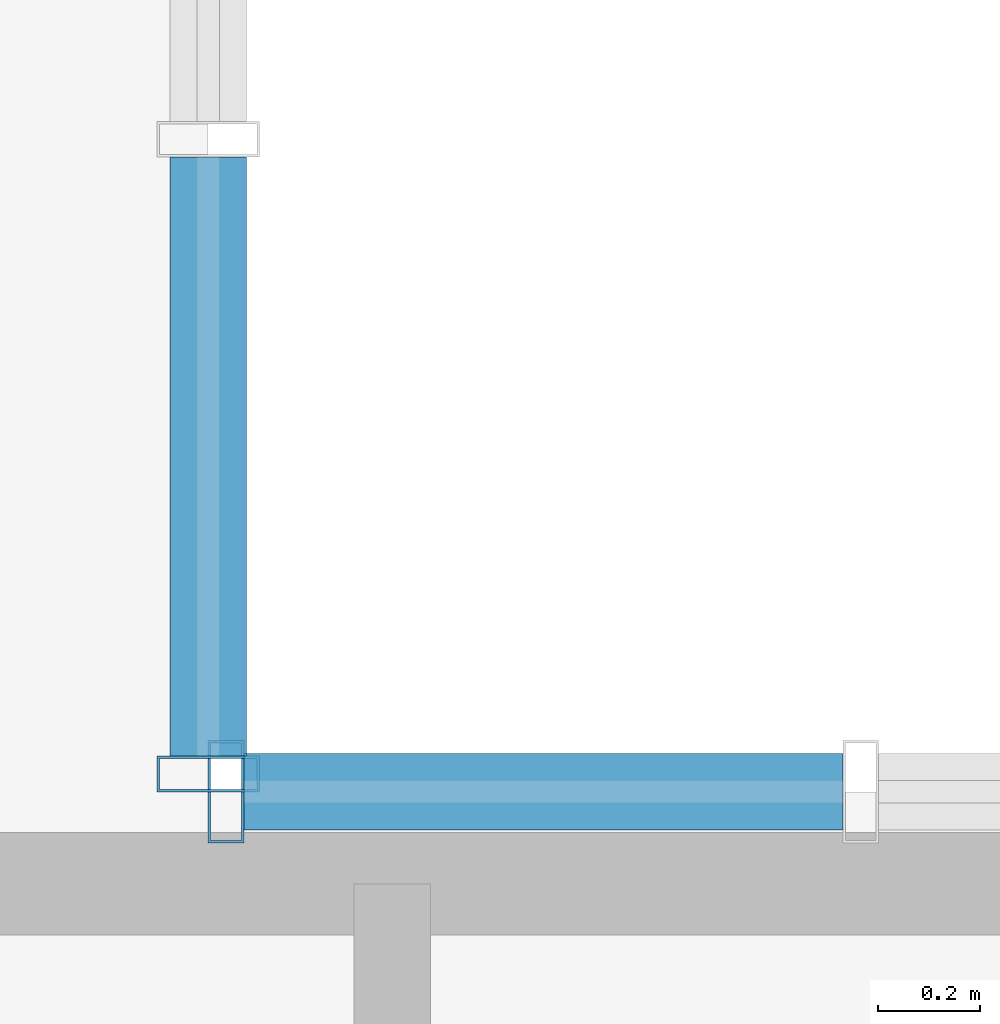
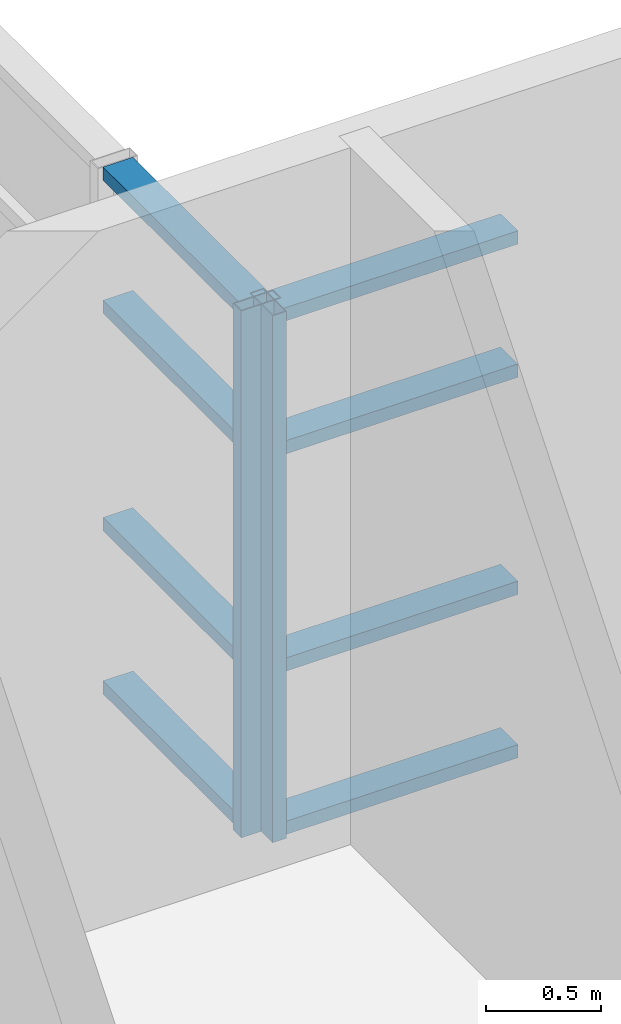
# One storey, part 10 of 27: 10 members, 2 elements without a shape of their own.
"""IFC4 building model written with IfcOpenShell, lengths in metres."""

from ifc_helpers import new_model, si_unit, direction, frame, origin, origin_2d, place, context, subcontext, project, spatial, hollow_rectangle, extrude, source, transform, mapped, material, layer, layer_set, material_profile, profile_set, type_object, element, aggregate, save


model = new_model("IFC4")

# Units and contexts
model_context = context("Model", 3, precision=1e-05, world=origin(), true_north=direction((0.0, 1.0)))
body_context = subcontext(model_context, "Body", "Model", "MODEL_VIEW")
ifc_project = project(units=[si_unit("LENGTHUNIT", "METRE"), si_unit("AREAUNIT", "SQUARE_METRE"), si_unit("VOLUMEUNIT", "CUBIC_METRE"), si_unit("PLANEANGLEUNIT", "RADIAN"), si_unit("MASSUNIT", "GRAM", prefix="KILO")], contexts=[model_context])

# Site, building, storey
site_placement = place(None, origin())
site = spatial("IfcSite", under=ifc_project, at=site_placement, CompositionType="ELEMENT")
building_placement = place(site_placement, origin())
building = spatial("IfcBuilding", under=site, at=building_placement, Name="Saelheon Loggia Tower", CompositionType="ELEMENT")
storey_placement = place(building_placement, frame((0.0, 0.0, 226.199951171875)))
storey = spatial("IfcBuildingStorey", under=building, at=storey_placement, Name="L70", CompositionType="ELEMENT", Elevation=226.199951171875)

# Curtain wall, members
ifc_material_1 = material(Name="High-Wind Aluminium and Triple Laminated Glass", Category="aluminium")
ifc_layer = layer(ifc_material_1, 0.179931640625)
ifc_layer_set = layer_set([ifc_layer], Name="High-Wind Aluminium and Triple Laminated Glass")
curtain_wall_type = type_object("IfcCurtainWallType", Name="CW_TowerLoggiaHigh", PredefinedType="NOTDEFINED", material=ifc_layer_set)
curtain_wall_1_placement = place(storey_placement, origin())
curtain_wall_1 = element("IfcCurtainWall", 1, at=curtain_wall_1_placement, inside=storey, type_object=curtain_wall_type, Name="L70 Corner Notch Glazing NE1", PredefinedType="NOTDEFINED")
ifc_material_2 = material(Name="Anodised Aluminium 6063-T6", Category="aluminium")
ifc_material_profile_1 = material_profile(ifc_material_2, hollow_rectangle(XDim=0.070068359375, YDim=0.14990234375, WallThickness=0.0048828125, at=origin_2d()), Name="RHS-150x70x5")
ifc_profile_set_1 = profile_set([ifc_material_profile_1], Name="Anodised Aluminium 6063-T6")
member_type_1 = type_object("IfcMemberType", Name="CW_TowerLoggiaHigh_Transom", PredefinedType="USERDEFINED", material=ifc_profile_set_1)
shared_shape_1 = source(origin(), body_context, "Body", "SweptSolid", [
    extrude(hollow_rectangle(XDim=0.070068359375, YDim=0.14990234375, WallThickness=0.0048828125, at=origin_2d()), origin(), (0.0, 0.0, 1.0), 1.17236328125),
])
member_1_placement = place(storey_placement, frame((49.25, 42.570068359375, 0.03515625), z_axis=(0.0, 1.0, 0.0), x_axis=(0.0, 0.0, 1.0)))
member_1 = element("IfcMember", 2, at=member_1_placement, type_object=member_type_1, Name="CW4 transom 1.1", ObjectType="TRANSOM", PredefinedType="USERDEFINED", context=body_context, shape_type="MappedRepresentation", body=[
    mapped(shared_shape_1, transform((0.0, 0.0, 0.0), scale=1.0)),
])
member_2_placement = place(storey_placement, frame((49.25, 42.570068359375, 0.900146484375), z_axis=(0.0, 1.0, 0.0), x_axis=(0.0, 0.0, 1.0)))
member_2 = element("IfcMember", 3, at=member_2_placement, type_object=member_type_1, Name="CW4 transom 1.2", ObjectType="TRANSOM", PredefinedType="USERDEFINED", context=body_context, shape_type="MappedRepresentation", body=[
    mapped(shared_shape_1, transform((0.0, 0.0, 0.0), scale=1.0)),
])
member_3_placement = place(storey_placement, frame((49.25, 42.570068359375, 2.050048828125), z_axis=(0.0, 1.0, 0.0), x_axis=(0.0, 0.0, 1.0)))
member_3 = element("IfcMember", 4, at=member_3_placement, type_object=member_type_1, Name="CW4 transom 1.3", ObjectType="TRANSOM", PredefinedType="USERDEFINED", context=body_context, shape_type="MappedRepresentation", body=[
    mapped(shared_shape_1, transform((0.0, 0.0, 0.0), scale=1.0)),
])
member_4_placement = place(storey_placement, frame((49.25, 42.570068359375, 2.755126953125), z_axis=(0.0, 1.0, 0.0), x_axis=(0.0, 0.0, 1.0)))
member_4 = element("IfcMember", 5, at=member_4_placement, type_object=member_type_1, Name="CW4 transom 1.4", ObjectType="TRANSOM", PredefinedType="USERDEFINED", context=body_context, shape_type="MappedRepresentation", body=[
    mapped(shared_shape_1, transform((0.0, 0.0, 0.0), scale=1.0)),
])

curtain_wall_2_placement = place(storey_placement, origin())
curtain_wall_2 = element("IfcCurtainWall", 6, at=curtain_wall_2_placement, inside=storey, type_object=curtain_wall_type, Name="L70 Corner Notch Glazing NE2", PredefinedType="NOTDEFINED")
member_5_placement = place(storey_placement, frame((49.320068359375, 42.5, 0.03515625), z_axis=(1.0, 0.0, 0.0), x_axis=(0.0, 0.0, 1.0)))
member_5 = element("IfcMember", 7, at=member_5_placement, type_object=member_type_1, Name="CW4 transom 1.1", ObjectType="TRANSOM", PredefinedType="USERDEFINED", context=body_context, shape_type="MappedRepresentation", body=[
    mapped(shared_shape_1, transform((0.0, 0.0, 0.0), scale=1.0)),
])
member_6_placement = place(storey_placement, frame((49.320068359375, 42.5, 0.900146484375), z_axis=(1.0, 0.0, 0.0), x_axis=(0.0, 0.0, 1.0)))
member_6 = element("IfcMember", 8, at=member_6_placement, type_object=member_type_1, Name="CW4 transom 1.2", ObjectType="TRANSOM", PredefinedType="USERDEFINED", context=body_context, shape_type="MappedRepresentation", body=[
    mapped(shared_shape_1, transform((0.0, 0.0, 0.0), scale=1.0)),
])
member_7_placement = place(storey_placement, frame((49.320068359375, 42.5, 2.050048828125), z_axis=(1.0, 0.0, 0.0), x_axis=(0.0, 0.0, 1.0)))
member_7 = element("IfcMember", 9, at=member_7_placement, type_object=member_type_1, Name="CW4 transom 1.3", ObjectType="TRANSOM", PredefinedType="USERDEFINED", context=body_context, shape_type="MappedRepresentation", body=[
    mapped(shared_shape_1, transform((0.0, 0.0, 0.0), scale=1.0)),
])
member_8_placement = place(storey_placement, frame((49.320068359375, 42.5, 2.755126953125), z_axis=(1.0, 0.0, 0.0), x_axis=(0.0, 0.0, 1.0)))
member_8 = element("IfcMember", 10, at=member_8_placement, type_object=member_type_1, Name="CW4 transom 1.4", ObjectType="TRANSOM", PredefinedType="USERDEFINED", context=body_context, shape_type="MappedRepresentation", body=[
    mapped(shared_shape_1, transform((0.0, 0.0, 0.0), scale=1.0)),
])

# Member
ifc_material_profile_2 = material_profile(ifc_material_2, hollow_rectangle(XDim=0.070068359375, YDim=0.199951171875, WallThickness=0.0048828125, at=origin_2d()), Name="RHS-200x70x5")
ifc_profile_set_2 = profile_set([ifc_material_profile_2], Name="Anodised Aluminium 6063-T6")
member_type_2 = type_object("IfcMemberType", Name="CW_TowerLoggiaHigh_Mullion", PredefinedType="MULLION", material=ifc_profile_set_2)
shared_shape_2 = source(origin(), body_context, "Body", "SweptSolid", [
    extrude(hollow_rectangle(XDim=0.070068359375, YDim=0.199951171875, WallThickness=0.0048828125, at=origin_2d()), origin(), (0.0, 0.0, 1.0), 2.7900390625),
])
member_9_placement = place(storey_placement, frame((49.25, 42.534912109375, 0.0), z_axis=(0.0, 0.0, 1.0), x_axis=(0.0, 1.0, 0.0)))
member_9 = element("IfcMember", 11, at=member_9_placement, type_object=member_type_2, Name="CW4 mullion 1", PredefinedType="MULLION", context=body_context, shape_type="MappedRepresentation", body=[
    mapped(shared_shape_2, transform((0.0, 0.0, 0.0), scale=1.0)),
])

aggregate(curtain_wall_1, [member_9, member_1, member_2, member_3, member_4])

member_10_placement = place(storey_placement, frame((49.284912109375, 42.5, 0.0), z_axis=(0.0, 0.0, 1.0), x_axis=(1.0, 0.0, 0.0)))
member_10 = element("IfcMember", 12, at=member_10_placement, type_object=member_type_2, Name="CW4 mullion 1", PredefinedType="MULLION", context=body_context, shape_type="MappedRepresentation", body=[
    mapped(shared_shape_2, transform((0.0, 0.0, 0.0), scale=1.0)),
])

aggregate(curtain_wall_2, [member_10, member_5, member_6, member_7, member_8])

save(model, "model.ifc")
